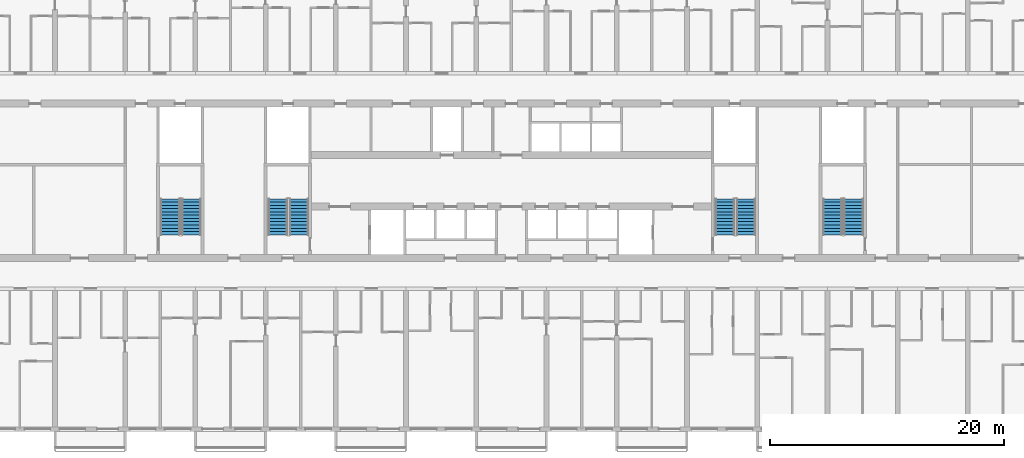
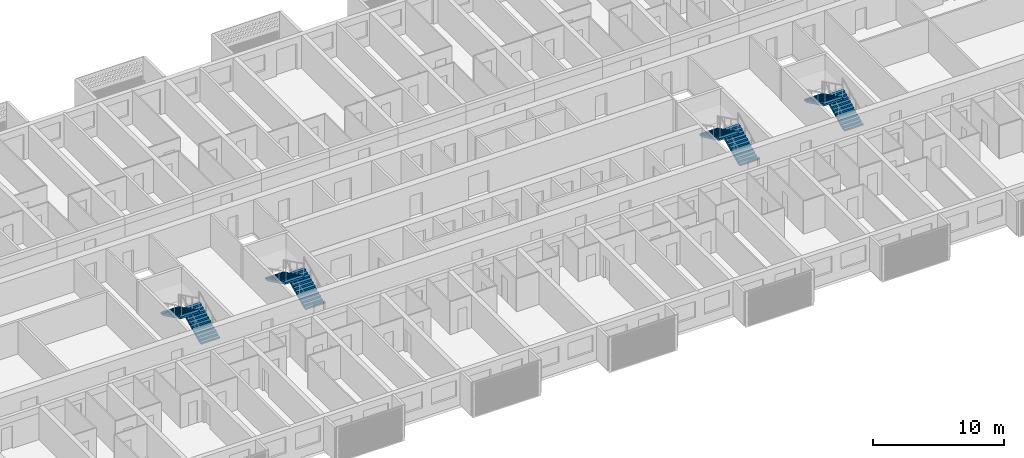
# One storey, part 18 of 38: 8 stair flights, 4 elements without a shape of their own.
"""IFC4 building model written with IfcOpenShell, lengths in metres."""

import ifcopenshell
import ifcopenshell.guid

model = None  # the IFC model being written
_history = None  # IfcOwnerHistory: only IFC2X3 demands one
_inside = {}  # id of a spatial element -> (the spatial element, [elements in it])
_under = {}  # id of a project, library or spatial element -> (it, [spatial elements below it])
_declared = {}  # id of a project -> (the project, [libraries it declares])
_typed = {}  # id of a type object -> (the type object, [elements of that type])
_made_of = {}  # id of a material, layer set ... -> (it, [elements and type objects made of it])


def new_model(schema):
    """Start an empty IFC model of exactly this schema.

    Asked for "IFC4X3", IfcOpenShell would pick the latest addendum, in which some entities
    have other attributes; the version numbers below select the first issue.
    IFC2X3 requires an IfcOwnerHistory on every rooted entity: one is made here for all.
    """
    global model, _history
    if schema == "IFC4X3":
        model = ifcopenshell.file(schema_version=(4, 3, 0, 0))
    else:
        model = ifcopenshell.file(schema=schema)
    _inside.clear()
    _under.clear()
    _declared.clear()
    _typed.clear()
    _made_of.clear()
    _history = None
    if model.schema == "IFC2X3":
        org = make("IfcOrganization", Name="unknown")
        user = make(
            "IfcPersonAndOrganization",
            ThePerson=make("IfcPerson", FamilyName="unknown"),
            TheOrganization=org,
        )
        app = make(
            "IfcApplication",
            ApplicationDeveloper=org,
            Version="unknown",
            ApplicationFullName="unknown",
            ApplicationIdentifier="unknown",
        )
        _history = make(
            "IfcOwnerHistory",
            OwningUser=user,
            OwningApplication=app,
            ChangeAction="ADDED",
            CreationDate=0,
        )
    return model


def make(cls, **values):
    """One entity of the class cls with the attributes given. An attribute that is None is left unset."""
    return model.create_entity(
        cls, **{name: value for name, value in values.items() if value is not None}
    )


def rooted(cls, **values):
    """An entity with a GlobalId (a new one), such as an element, a storey or a relation."""
    return make(cls, GlobalId=ifcopenshell.guid.new(), OwnerHistory=_history, **values)


def si_unit(unit_type, name, prefix=None):
    """IfcSIUnit, for example si_unit("LENGTHUNIT", "METRE", prefix="MILLI")."""
    return make("IfcSIUnit", UnitType=unit_type, Prefix=prefix, Name=name)


def assignment(units):
    """IfcUnitAssignment: the units of a project."""
    return None if units is None else make("IfcUnitAssignment", Units=units)


def point(xyz):
    """IfcCartesianPoint."""
    return None if xyz is None else make("IfcCartesianPoint", Coordinates=xyz)


def direction(xyz):
    """IfcDirection."""
    return None if xyz is None else make("IfcDirection", DirectionRatios=xyz)


def frame(location, z_axis=None, x_axis=None):
    """IfcAxis2Placement3D, a coordinate frame: its origin and axes. An axis left out is left unset."""
    return make(
        "IfcAxis2Placement3D",
        Location=point(location),
        Axis=direction(z_axis),
        RefDirection=direction(x_axis),
    )


def origin():
    """The frame at (0, 0, 0) with its axes left unset."""
    return frame((0.0, 0.0, 0.0))


def place(relative_to, where):
    """IfcLocalPlacement: puts the frame where relative to a parent placement (None: the world)."""
    return make(
        "IfcLocalPlacement", PlacementRelTo=relative_to, RelativePlacement=where
    )


def context(
    kind, dimensions, precision=None, world=None, true_north=None, identifier=None
):
    """IfcGeometricRepresentationContext, for example the 3D "Model" context."""
    return make(
        "IfcGeometricRepresentationContext",
        ContextIdentifier=identifier,
        ContextType=kind,
        CoordinateSpaceDimension=dimensions,
        Precision=precision,
        WorldCoordinateSystem=world,
        TrueNorth=true_north,
    )


def subcontext(parent, identifier, kind, view, scale=None):
    """IfcGeometricRepresentationSubContext, for example "Body" below "Model"."""
    return make(
        "IfcGeometricRepresentationSubContext",
        ContextIdentifier=identifier,
        ContextType=kind,
        ParentContext=parent,
        TargetScale=scale,
        TargetView=view,
    )


def project(units=None, contexts=None):
    """IfcProject with its units and contexts."""
    return rooted(
        "IfcProject",
        Name="project",
        RepresentationContexts=contexts,
        UnitsInContext=assignment(units),
    )


def spatial(cls, under=None, at=None, **own):
    """A site, building, storey or space (cls), placed at a placement, below another one or the project."""
    s = rooted(cls, ObjectPlacement=at, **own)
    if under is not None:
        _under.setdefault(under.id(), (under, []))[1].append(s)
    return s


def polyline(points):
    """IfcPolyline through the points."""
    return make("IfcPolyline", Points=[point(p) for p in points])


def outline(outer, holes=None, kind="AREA"):
    """IfcArbitraryClosedProfileDef: a profile drawn as a closed curve; with holes, ...WithVoids."""
    if holes is None:
        return make("IfcArbitraryClosedProfileDef", ProfileType=kind, OuterCurve=outer)
    return make(
        "IfcArbitraryProfileDefWithVoids",
        ProfileType=kind,
        OuterCurve=outer,
        InnerCurves=holes,
    )


def extrude(swept, where, along, depth):
    """IfcExtrudedAreaSolid: the profile swept, set in the frame where, extruded along a direction by depth."""
    return make(
        "IfcExtrudedAreaSolid",
        SweptArea=swept,
        Position=where,
        ExtrudedDirection=direction(along),
        Depth=depth,
    )


def shape(context_of_items, identifier, shape_type, items):
    """IfcShapeRepresentation: the items that make up one representation, for example the "Body"."""
    return make(
        "IfcShapeRepresentation",
        ContextOfItems=context_of_items,
        RepresentationIdentifier=identifier,
        RepresentationType=shape_type,
        Items=items,
    )


def material(Name=None, Category=None):
    """IfcMaterial."""
    return make("IfcMaterial", Name=Name, Category=Category)


def layer(
    of_material, thickness, ventilated=None, Name=None, Category=None, Priority=None
):
    """IfcMaterialLayer: one layer of a wall or slab, of a material (None: an air gap)."""
    return make(
        "IfcMaterialLayer",
        Material=of_material,
        LayerThickness=thickness,
        IsVentilated=ventilated,
        Name=Name,
        Category=Category,
        Priority=Priority,
    )


def layer_set(layers, Name=None):
    """IfcMaterialLayerSet."""
    return make("IfcMaterialLayerSet", MaterialLayers=layers, LayerSetName=Name)


def made_of(thing, what):
    """Note that an element or type object is made of a material, layer set ...; save() writes the relation."""
    if what is not None:
        _made_of.setdefault(what.id(), (what, []))[1].append(thing)
    return thing


def type_object(cls, material=None, **own):
    """A type object (cls), such as IfcWallType, which elements share."""
    return made_of(rooted(cls, **own), material)


def element(
    cls,
    number,
    at=None,
    inside=None,
    cuts=None,
    type_object=None,
    material=None,
    context=None,
    identifier="Body",
    shape_type=None,
    held_by="IfcProductDefinitionShape",
    body=None,
    shapes=None,
    **own,
):
    """One element of the class cls, such as IfcWall. Its Tag is "e" and its number.

    at: its placement. inside: the storey or other place that contains it. cuts: it is an
    opening in that element (IfcRelVoidsElement). A single representation is given by context,
    identifier, shape_type and body (its items); several are given by shapes. held_by: the class
    of the entity that holds the representations. save() writes the other relations.
    """
    e = rooted(cls, Tag="e%d" % number, ObjectPlacement=at, **own)
    if body is not None:
        shapes = [shape(context, identifier, shape_type, body)]
    if shapes is not None:
        e.Representation = make(held_by, Representations=shapes)
    if inside is not None:
        _inside.setdefault(inside.id(), (inside, []))[1].append(e)
    if cuts is not None:
        rooted(
            "IfcRelVoidsElement", RelatingBuildingElement=cuts, RelatedOpeningElement=e
        )
    if type_object is not None:
        _typed.setdefault(type_object.id(), (type_object, []))[1].append(e)
    return made_of(e, material)


def aggregate(whole, parts):
    """IfcRelAggregates: a whole, such as a stair, and the parts it consists of."""
    return rooted("IfcRelAggregates", RelatingObject=whole, RelatedObjects=parts)


def save(model, path):
    """Write the relations noted so far, then the file.

    IfcRelAggregates (storeys below a building ...), IfcRelContainedInSpatialStructure (elements
    in a storey), IfcRelDefinesByType, IfcRelAssociatesMaterial and IfcRelDeclares: one each for
    every whole, place, type object, material and project.
    """
    for whole, parts in _under.values():
        aggregate(whole, parts)
    for where, things in _inside.values():
        rooted(
            "IfcRelContainedInSpatialStructure",
            RelatedElements=things,
            RelatingStructure=where,
        )
    for kind, things in _typed.values():
        rooted("IfcRelDefinesByType", RelatedObjects=things, RelatingType=kind)
    for what, things in _made_of.values():
        rooted("IfcRelAssociatesMaterial", RelatedObjects=things, RelatingMaterial=what)
    for by, libraries in _declared.values():
        rooted("IfcRelDeclares", RelatingContext=by, RelatedDefinitions=libraries)
    model.write(path)


model = new_model("IFC4")

# Units and contexts
model_context = context("Model", 3, precision=1e-05, world=origin(), true_north=direction((0.0, 1.0)))
body_context = subcontext(model_context, "Body", "Model", "MODEL_VIEW")
ifc_project = project(units=[si_unit("LENGTHUNIT", "METRE"), si_unit("AREAUNIT", "SQUARE_METRE"), si_unit("VOLUMEUNIT", "CUBIC_METRE"), si_unit("PLANEANGLEUNIT", "RADIAN"), si_unit("MASSUNIT", "GRAM", prefix="KILO")], contexts=[model_context])

# Site, building, storey
site_placement = place(None, origin())
site = spatial("IfcSite", under=ifc_project, at=site_placement, CompositionType="ELEMENT")
building_placement = place(site_placement, origin())
building = spatial("IfcBuilding", under=site, at=building_placement, Name="Poui Terraces", CompositionType="ELEMENT")
storey_placement = place(building_placement, frame((0.0, 0.0, 46.5)))
storey = spatial("IfcBuildingStorey", under=building, at=storey_placement, Name="L12", CompositionType="ELEMENT", Elevation=46.5)

# Stair, stair flights
ifc_material = material(Name="Concrete 80 MPa", Category="concrete")
stair_type = type_object("IfcStairType", Name="EXIT STAIR 1650 80 MPA", PredefinedType="HALF_TURN_STAIR", material=ifc_material)
stair_1_placement = place(storey_placement, origin())
stair_1 = element("IfcStair", 1, at=stair_1_placement, inside=storey, type_object=stair_type, Name="L12 CORE STAIR EAST", PredefinedType="HALF_TURN_STAIR")
ifc_layer = layer(ifc_material, 0.14990234375)
ifc_layer_set = layer_set([ifc_layer], Name="Concrete 80 MPa")
stair_flight_type = type_object("IfcStairFlightType", Name="STAIR FLIGHT 12 RISERS 138 RISE 80 MPA", PredefinedType="STRAIGHT", material=ifc_layer_set)
stair_flight_1_placement = place(storey_placement, frame((71.050048828125, 16.60009765625, 0.0), z_axis=(0.0, 0.0, 1.0), x_axis=(0.0, 1.0, 0.0)))
stair_flight_1 = element("IfcStairFlight", 2, at=stair_flight_1_placement, type_object=stair_flight_type, Name="ST-CE flight 1", NumberOfRisers=12, NumberOfTreads=11, PredefinedType="STRAIGHT", RiserHeight=0.1375, TreadLength=0.28, context=body_context, shape_type="SweptSolid", body=[
    extrude(outline(polyline([(0.0, 0.0), (0.0, 0.137451171875), (0.280029296875, 0.137451171875), (0.280029296875, 0.27490234375), (0.56005859375, 0.27490234375), (0.56005859375, 0.41259765625), (0.840087890625, 0.41259765625), (0.840087890625, 0.550048828125), (1.1201171875, 0.550048828125), (1.1201171875, 0.6875), (1.39990234375, 0.6875), (1.39990234375, 0.824951171875), (1.679931640625, 0.824951171875), (1.679931640625, 0.96240234375), (1.9599609375, 0.96240234375), (1.9599609375, 1.10009765625), (2.239990234375, 1.10009765625), (2.239990234375, 1.237548828125), (2.52001953125, 1.237548828125), (2.52001953125, 1.375), (2.800048828125, 1.375), (2.800048828125, 1.512451171875), (3.080078125, 1.512451171875), (3.080078125, 1.64990234375), (3.080078125, 1.345458984375), (0.340087890625, 0.0), (0.0, 0.0)])), frame((0.0, 0.824951171875, 0.0), z_axis=(0.0, -1.0, 0.0), x_axis=(1.0, 0.0, 0.0)), (0.0, 0.0, 1.0), 1.64990234375),
])
stair_flight_2_placement = place(storey_placement, frame((69.25, 19.679931640625, 1.64990234375), z_axis=(0.0, 0.0, 1.0), x_axis=(0.0, -1.0, 0.0)))
stair_flight_2 = element("IfcStairFlight", 3, at=stair_flight_2_placement, type_object=stair_flight_type, Name="ST-CE flight 2", NumberOfRisers=12, NumberOfTreads=11, PredefinedType="STRAIGHT", RiserHeight=0.1375, TreadLength=0.28, context=body_context, shape_type="SweptSolid", body=[
    extrude(outline(polyline([(0.0, 0.0), (0.0, 0.137451171875), (0.280029296875, 0.137451171875), (0.280029296875, 0.27490234375), (0.56005859375, 0.27490234375), (0.56005859375, 0.41259765625), (0.840087890625, 0.41259765625), (0.840087890625, 0.550048828125), (1.1201171875, 0.550048828125), (1.1201171875, 0.6875), (1.39990234375, 0.6875), (1.39990234375, 0.824951171875), (1.679931640625, 0.824951171875), (1.679931640625, 0.96240234375), (1.9599609375, 0.96240234375), (1.9599609375, 1.10009765625), (2.239990234375, 1.10009765625), (2.239990234375, 1.237548828125), (2.52001953125, 1.237548828125), (2.52001953125, 1.375), (2.800048828125, 1.375), (2.800048828125, 1.512451171875), (3.080078125, 1.512451171875), (3.080078125, 1.64990234375), (3.080078125, 1.345458984375), (0.340087890625, 0.0), (0.0, 0.0)])), frame((0.0, 0.824951171875, 0.0), z_axis=(0.0, -1.0, 0.0), x_axis=(1.0, 0.0, 0.0)), (0.0, 0.0, 1.0), 1.64990234375),
])
aggregate(stair_1, [stair_flight_1, stair_flight_2])

stair_2_placement = place(storey_placement, origin())
stair_2 = element("IfcStair", 4, at=stair_2_placement, inside=storey, type_object=stair_type, Name="L12 CORE STAIR WEST", PredefinedType="HALF_TURN_STAIR")
stair_flight_3_placement = place(storey_placement, frame((32.85009765625, 16.60009765625, 0.0), z_axis=(0.0, 0.0, 1.0), x_axis=(0.0, 1.0, 0.0)))
stair_flight_3 = element("IfcStairFlight", 5, at=stair_flight_3_placement, type_object=stair_flight_type, Name="ST-CW flight 1", NumberOfRisers=12, NumberOfTreads=11, PredefinedType="STRAIGHT", RiserHeight=0.1375, TreadLength=0.28, context=body_context, shape_type="SweptSolid", body=[
    extrude(outline(polyline([(0.0, 0.0), (0.0, 0.137451171875), (0.280029296875, 0.137451171875), (0.280029296875, 0.27490234375), (0.56005859375, 0.27490234375), (0.56005859375, 0.41259765625), (0.840087890625, 0.41259765625), (0.840087890625, 0.550048828125), (1.1201171875, 0.550048828125), (1.1201171875, 0.6875), (1.39990234375, 0.6875), (1.39990234375, 0.824951171875), (1.679931640625, 0.824951171875), (1.679931640625, 0.96240234375), (1.9599609375, 0.96240234375), (1.9599609375, 1.10009765625), (2.239990234375, 1.10009765625), (2.239990234375, 1.237548828125), (2.52001953125, 1.237548828125), (2.52001953125, 1.375), (2.800048828125, 1.375), (2.800048828125, 1.512451171875), (3.080078125, 1.512451171875), (3.080078125, 1.64990234375), (3.080078125, 1.345458984375), (0.340087890625, 0.0), (0.0, 0.0)])), frame((0.0, 0.824951171875, 0.0), z_axis=(0.0, -1.0, 0.0), x_axis=(1.0, 0.0, 0.0)), (0.0, 0.0, 1.0), 1.64990234375),
])
stair_flight_4_placement = place(storey_placement, frame((31.050048828125, 19.679931640625, 1.64990234375), z_axis=(0.0, 0.0, 1.0), x_axis=(0.0, -1.0, 0.0)))
stair_flight_4 = element("IfcStairFlight", 6, at=stair_flight_4_placement, type_object=stair_flight_type, Name="ST-CW flight 2", NumberOfRisers=12, NumberOfTreads=11, PredefinedType="STRAIGHT", RiserHeight=0.1375, TreadLength=0.28, context=body_context, shape_type="SweptSolid", body=[
    extrude(outline(polyline([(0.0, 0.0), (0.0, 0.137451171875), (0.280029296875, 0.137451171875), (0.280029296875, 0.27490234375), (0.56005859375, 0.27490234375), (0.56005859375, 0.41259765625), (0.840087890625, 0.41259765625), (0.840087890625, 0.550048828125), (1.1201171875, 0.550048828125), (1.1201171875, 0.6875), (1.39990234375, 0.6875), (1.39990234375, 0.824951171875), (1.679931640625, 0.824951171875), (1.679931640625, 0.96240234375), (1.9599609375, 0.96240234375), (1.9599609375, 1.10009765625), (2.239990234375, 1.10009765625), (2.239990234375, 1.237548828125), (2.52001953125, 1.237548828125), (2.52001953125, 1.375), (2.800048828125, 1.375), (2.800048828125, 1.512451171875), (3.080078125, 1.512451171875), (3.080078125, 1.64990234375), (3.080078125, 1.345458984375), (0.340087890625, 0.0), (0.0, 0.0)])), frame((0.0, 0.824951171875, 0.0), z_axis=(0.0, -1.0, 0.0), x_axis=(1.0, 0.0, 0.0)), (0.0, 0.0, 1.0), 1.64990234375),
])
aggregate(stair_2, [stair_flight_3, stair_flight_4])

stair_3_placement = place(storey_placement, origin())
stair_3 = element("IfcStair", 7, at=stair_3_placement, inside=storey, type_object=stair_type, Name="L12 TIP STAIR EAST", PredefinedType="HALF_TURN_STAIR")
stair_flight_5_placement = place(storey_placement, frame((80.25, 16.60009765625, 0.0), z_axis=(0.0, 0.0, 1.0), x_axis=(0.0, 1.0, 0.0)))
stair_flight_5 = element("IfcStairFlight", 8, at=stair_flight_5_placement, type_object=stair_flight_type, Name="ST-E flight 1", NumberOfRisers=12, NumberOfTreads=11, PredefinedType="STRAIGHT", RiserHeight=0.1375, TreadLength=0.28, context=body_context, shape_type="SweptSolid", body=[
    extrude(outline(polyline([(0.0, 0.0), (0.0, 0.137451171875), (0.280029296875, 0.137451171875), (0.280029296875, 0.27490234375), (0.56005859375, 0.27490234375), (0.56005859375, 0.41259765625), (0.840087890625, 0.41259765625), (0.840087890625, 0.550048828125), (1.1201171875, 0.550048828125), (1.1201171875, 0.6875), (1.39990234375, 0.6875), (1.39990234375, 0.824951171875), (1.679931640625, 0.824951171875), (1.679931640625, 0.96240234375), (1.9599609375, 0.96240234375), (1.9599609375, 1.10009765625), (2.239990234375, 1.10009765625), (2.239990234375, 1.237548828125), (2.52001953125, 1.237548828125), (2.52001953125, 1.375), (2.800048828125, 1.375), (2.800048828125, 1.512451171875), (3.080078125, 1.512451171875), (3.080078125, 1.64990234375), (3.080078125, 1.345458984375), (0.340087890625, 0.0), (0.0, 0.0)])), frame((0.0, 0.824951171875, 0.0), z_axis=(0.0, -1.0, 0.0), x_axis=(1.0, 0.0, 0.0)), (0.0, 0.0, 1.0), 1.64990234375),
])
stair_flight_6_placement = place(storey_placement, frame((78.449951171875, 19.679931640625, 1.64990234375), z_axis=(0.0, 0.0, 1.0), x_axis=(0.0, -1.0, 0.0)))
stair_flight_6 = element("IfcStairFlight", 9, at=stair_flight_6_placement, type_object=stair_flight_type, Name="ST-E flight 2", NumberOfRisers=12, NumberOfTreads=11, PredefinedType="STRAIGHT", RiserHeight=0.1375, TreadLength=0.28, context=body_context, shape_type="SweptSolid", body=[
    extrude(outline(polyline([(0.0, 0.0), (0.0, 0.137451171875), (0.280029296875, 0.137451171875), (0.280029296875, 0.27490234375), (0.56005859375, 0.27490234375), (0.56005859375, 0.41259765625), (0.840087890625, 0.41259765625), (0.840087890625, 0.550048828125), (1.1201171875, 0.550048828125), (1.1201171875, 0.6875), (1.39990234375, 0.6875), (1.39990234375, 0.824951171875), (1.679931640625, 0.824951171875), (1.679931640625, 0.96240234375), (1.9599609375, 0.96240234375), (1.9599609375, 1.10009765625), (2.239990234375, 1.10009765625), (2.239990234375, 1.237548828125), (2.52001953125, 1.237548828125), (2.52001953125, 1.375), (2.800048828125, 1.375), (2.800048828125, 1.512451171875), (3.080078125, 1.512451171875), (3.080078125, 1.64990234375), (3.080078125, 1.345458984375), (0.340087890625, 0.0), (0.0, 0.0)])), frame((0.0, 0.824951171875, 0.0), z_axis=(0.0, -1.0, 0.0), x_axis=(1.0, 0.0, 0.0)), (0.0, 0.0, 1.0), 1.64990234375),
])
aggregate(stair_3, [stair_flight_5, stair_flight_6])

stair_4_placement = place(storey_placement, origin())
stair_4 = element("IfcStair", 10, at=stair_4_placement, inside=storey, type_object=stair_type, Name="L12 TIP STAIR WEST", PredefinedType="HALF_TURN_STAIR")
stair_flight_7_placement = place(storey_placement, frame((23.64990234375, 16.60009765625, 0.0), z_axis=(0.0, 0.0, 1.0), x_axis=(0.0, 1.0, 0.0)))
stair_flight_7 = element("IfcStairFlight", 11, at=stair_flight_7_placement, type_object=stair_flight_type, Name="ST-W flight 1", NumberOfRisers=12, NumberOfTreads=11, PredefinedType="STRAIGHT", RiserHeight=0.1375, TreadLength=0.28, context=body_context, shape_type="SweptSolid", body=[
    extrude(outline(polyline([(0.0, 0.0), (0.0, 0.137451171875), (0.280029296875, 0.137451171875), (0.280029296875, 0.27490234375), (0.56005859375, 0.27490234375), (0.56005859375, 0.41259765625), (0.840087890625, 0.41259765625), (0.840087890625, 0.550048828125), (1.1201171875, 0.550048828125), (1.1201171875, 0.6875), (1.39990234375, 0.6875), (1.39990234375, 0.824951171875), (1.679931640625, 0.824951171875), (1.679931640625, 0.96240234375), (1.9599609375, 0.96240234375), (1.9599609375, 1.10009765625), (2.239990234375, 1.10009765625), (2.239990234375, 1.237548828125), (2.52001953125, 1.237548828125), (2.52001953125, 1.375), (2.800048828125, 1.375), (2.800048828125, 1.512451171875), (3.080078125, 1.512451171875), (3.080078125, 1.64990234375), (3.080078125, 1.345458984375), (0.340087890625, 0.0), (0.0, 0.0)])), frame((0.0, 0.824951171875, 0.0), z_axis=(0.0, -1.0, 0.0), x_axis=(1.0, 0.0, 0.0)), (0.0, 0.0, 1.0), 1.64990234375),
])
stair_flight_8_placement = place(storey_placement, frame((21.85009765625, 19.679931640625, 1.64990234375), z_axis=(0.0, 0.0, 1.0), x_axis=(0.0, -1.0, 0.0)))
stair_flight_8 = element("IfcStairFlight", 12, at=stair_flight_8_placement, type_object=stair_flight_type, Name="ST-W flight 2", NumberOfRisers=12, NumberOfTreads=11, PredefinedType="STRAIGHT", RiserHeight=0.1375, TreadLength=0.28, context=body_context, shape_type="SweptSolid", body=[
    extrude(outline(polyline([(0.0, 0.0), (0.0, 0.137451171875), (0.280029296875, 0.137451171875), (0.280029296875, 0.27490234375), (0.56005859375, 0.27490234375), (0.56005859375, 0.41259765625), (0.840087890625, 0.41259765625), (0.840087890625, 0.550048828125), (1.1201171875, 0.550048828125), (1.1201171875, 0.6875), (1.39990234375, 0.6875), (1.39990234375, 0.824951171875), (1.679931640625, 0.824951171875), (1.679931640625, 0.96240234375), (1.9599609375, 0.96240234375), (1.9599609375, 1.10009765625), (2.239990234375, 1.10009765625), (2.239990234375, 1.237548828125), (2.52001953125, 1.237548828125), (2.52001953125, 1.375), (2.800048828125, 1.375), (2.800048828125, 1.512451171875), (3.080078125, 1.512451171875), (3.080078125, 1.64990234375), (3.080078125, 1.345458984375), (0.340087890625, 0.0), (0.0, 0.0)])), frame((0.0, 0.824951171875, 0.0), z_axis=(0.0, -1.0, 0.0), x_axis=(1.0, 0.0, 0.0)), (0.0, 0.0, 1.0), 1.64990234375),
])
aggregate(stair_4, [stair_flight_7, stair_flight_8])

save(model, "model.ifc")
